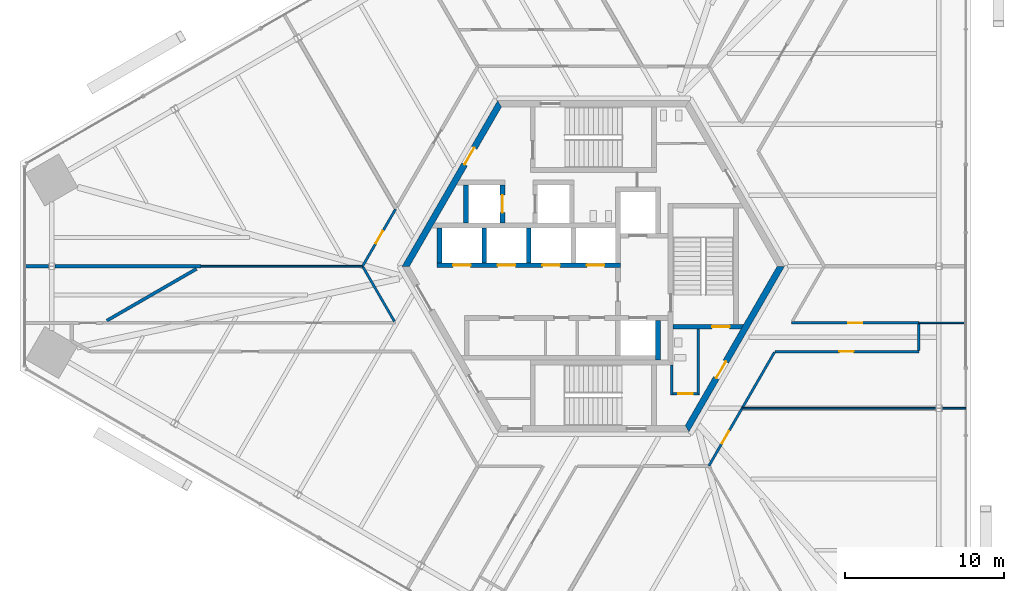
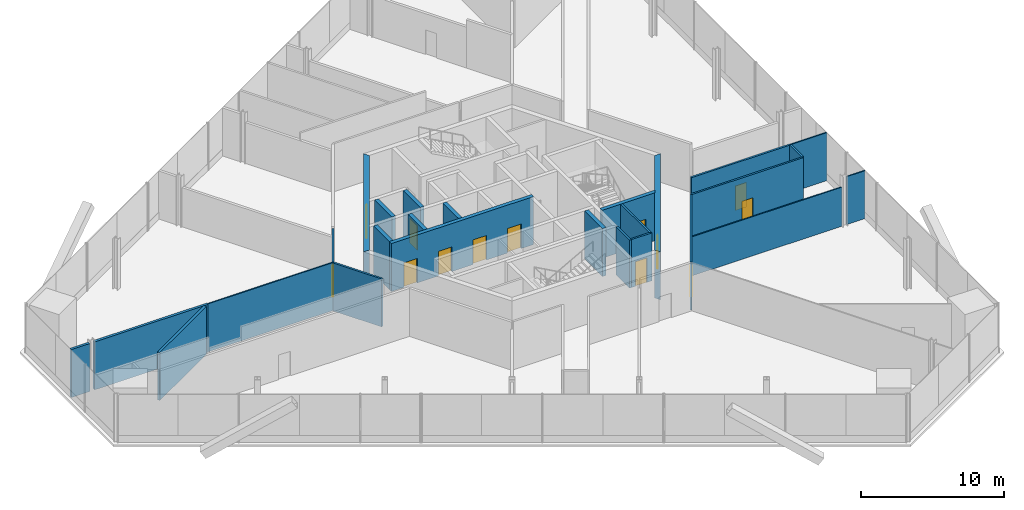
# One storey, part 12 of 16: 26 walls, 13 doors, 13 openings.
"""IFC4 building model written with IfcOpenShell, lengths in metres."""

import ifcopenshell
import ifcopenshell.guid

model = None  # the IFC model being written
_history = None  # IfcOwnerHistory: only IFC2X3 demands one
_inside = {}  # id of a spatial element -> (the spatial element, [elements in it])
_under = {}  # id of a project, library or spatial element -> (it, [spatial elements below it])
_declared = {}  # id of a project -> (the project, [libraries it declares])
_typed = {}  # id of a type object -> (the type object, [elements of that type])
_made_of = {}  # id of a material, layer set ... -> (it, [elements and type objects made of it])


def new_model(schema):
    """Start an empty IFC model of exactly this schema.

    Asked for "IFC4X3", IfcOpenShell would pick the latest addendum, in which some entities
    have other attributes; the version numbers below select the first issue.
    IFC2X3 requires an IfcOwnerHistory on every rooted entity: one is made here for all.
    """
    global model, _history
    if schema == "IFC4X3":
        model = ifcopenshell.file(schema_version=(4, 3, 0, 0))
    else:
        model = ifcopenshell.file(schema=schema)
    _inside.clear()
    _under.clear()
    _declared.clear()
    _typed.clear()
    _made_of.clear()
    _history = None
    if model.schema == "IFC2X3":
        org = make("IfcOrganization", Name="unknown")
        user = make(
            "IfcPersonAndOrganization",
            ThePerson=make("IfcPerson", FamilyName="unknown"),
            TheOrganization=org,
        )
        app = make(
            "IfcApplication",
            ApplicationDeveloper=org,
            Version="unknown",
            ApplicationFullName="unknown",
            ApplicationIdentifier="unknown",
        )
        _history = make(
            "IfcOwnerHistory",
            OwningUser=user,
            OwningApplication=app,
            ChangeAction="ADDED",
            CreationDate=0,
        )
    return model


def make(cls, **values):
    """One entity of the class cls with the attributes given. An attribute that is None is left unset."""
    return model.create_entity(
        cls, **{name: value for name, value in values.items() if value is not None}
    )


def rooted(cls, **values):
    """An entity with a GlobalId (a new one), such as an element, a storey or a relation."""
    return make(cls, GlobalId=ifcopenshell.guid.new(), OwnerHistory=_history, **values)


def si_unit(unit_type, name, prefix=None):
    """IfcSIUnit, for example si_unit("LENGTHUNIT", "METRE", prefix="MILLI")."""
    return make("IfcSIUnit", UnitType=unit_type, Prefix=prefix, Name=name)


def assignment(units):
    """IfcUnitAssignment: the units of a project."""
    return None if units is None else make("IfcUnitAssignment", Units=units)


def point(xyz):
    """IfcCartesianPoint."""
    return None if xyz is None else make("IfcCartesianPoint", Coordinates=xyz)


def direction(xyz):
    """IfcDirection."""
    return None if xyz is None else make("IfcDirection", DirectionRatios=xyz)


def frame(location, z_axis=None, x_axis=None):
    """IfcAxis2Placement3D, a coordinate frame: its origin and axes. An axis left out is left unset."""
    return make(
        "IfcAxis2Placement3D",
        Location=point(location),
        Axis=direction(z_axis),
        RefDirection=direction(x_axis),
    )


def frame_2d(location, x_axis=None):
    """IfcAxis2Placement2D, a coordinate frame in the plane: its origin and x axis."""
    return make(
        "IfcAxis2Placement2D", Location=point(location), RefDirection=direction(x_axis)
    )


def origin():
    """The frame at (0, 0, 0) with its axes left unset."""
    return frame((0.0, 0.0, 0.0))


def place(relative_to, where):
    """IfcLocalPlacement: puts the frame where relative to a parent placement (None: the world)."""
    return make(
        "IfcLocalPlacement", PlacementRelTo=relative_to, RelativePlacement=where
    )


def context(
    kind, dimensions, precision=None, world=None, true_north=None, identifier=None
):
    """IfcGeometricRepresentationContext, for example the 3D "Model" context."""
    return make(
        "IfcGeometricRepresentationContext",
        ContextIdentifier=identifier,
        ContextType=kind,
        CoordinateSpaceDimension=dimensions,
        Precision=precision,
        WorldCoordinateSystem=world,
        TrueNorth=true_north,
    )


def subcontext(parent, identifier, kind, view, scale=None):
    """IfcGeometricRepresentationSubContext, for example "Body" below "Model"."""
    return make(
        "IfcGeometricRepresentationSubContext",
        ContextIdentifier=identifier,
        ContextType=kind,
        ParentContext=parent,
        TargetScale=scale,
        TargetView=view,
    )


def project(units=None, contexts=None):
    """IfcProject with its units and contexts."""
    return rooted(
        "IfcProject",
        Name="project",
        RepresentationContexts=contexts,
        UnitsInContext=assignment(units),
    )


def spatial(cls, under=None, at=None, **own):
    """A site, building, storey or space (cls), placed at a placement, below another one or the project."""
    s = rooted(cls, ObjectPlacement=at, **own)
    if under is not None:
        _under.setdefault(under.id(), (under, []))[1].append(s)
    return s


def polyline(points):
    """IfcPolyline through the points."""
    return make("IfcPolyline", Points=[point(p) for p in points])


def profile(cls, at=None, kind="AREA", **sizes):
    """A parametric profile (cls). Its sizes go by their IFC names, for example OverallWidth=200.0."""
    return make(cls, ProfileType=kind, Position=at, **sizes)


def rectangle(**sizes):
    """IfcRectangleProfileDef."""
    return profile("IfcRectangleProfileDef", **sizes)


def outline(outer, holes=None, kind="AREA"):
    """IfcArbitraryClosedProfileDef: a profile drawn as a closed curve; with holes, ...WithVoids."""
    if holes is None:
        return make("IfcArbitraryClosedProfileDef", ProfileType=kind, OuterCurve=outer)
    return make(
        "IfcArbitraryProfileDefWithVoids",
        ProfileType=kind,
        OuterCurve=outer,
        InnerCurves=holes,
    )


def extrude(swept, where, along, depth):
    """IfcExtrudedAreaSolid: the profile swept, set in the frame where, extruded along a direction by depth."""
    return make(
        "IfcExtrudedAreaSolid",
        SweptArea=swept,
        Position=where,
        ExtrudedDirection=direction(along),
        Depth=depth,
    )


def shape(context_of_items, identifier, shape_type, items):
    """IfcShapeRepresentation: the items that make up one representation, for example the "Body"."""
    return make(
        "IfcShapeRepresentation",
        ContextOfItems=context_of_items,
        RepresentationIdentifier=identifier,
        RepresentationType=shape_type,
        Items=items,
    )


def source(mapping_origin, context_of_items, identifier, shape_type, items):
    """IfcRepresentationMap: a shape defined once, which mapped items show again and again."""
    return make(
        "IfcRepresentationMap",
        MappingOrigin=mapping_origin,
        MappedRepresentation=shape(context_of_items, identifier, shape_type, items),
    )


def transform(
    local_origin,
    x_axis=None,
    y_axis=None,
    z_axis=None,
    scale=None,
    scale2=None,
    scale3=None,
    uniform=True,
):
    """IfcCartesianTransformationOperator3D, or its non-uniform kind. x_axis, y_axis, z_axis: its Axis1, 2, 3."""
    if uniform:
        return make(
            "IfcCartesianTransformationOperator3D",
            Axis1=direction(x_axis),
            Axis2=direction(y_axis),
            LocalOrigin=point(local_origin),
            Scale=scale,
            Axis3=direction(z_axis),
        )
    return make(
        "IfcCartesianTransformationOperator3DnonUniform",
        Axis1=direction(x_axis),
        Axis2=direction(y_axis),
        LocalOrigin=point(local_origin),
        Scale=scale,
        Axis3=direction(z_axis),
        Scale2=scale2,
        Scale3=scale3,
    )


def mapped(mapping_source, mapping_target):
    """IfcMappedItem: shows the shape of a source again, moved by a transform."""
    return make(
        "IfcMappedItem", MappingSource=mapping_source, MappingTarget=mapping_target
    )


def material(Name=None, Category=None):
    """IfcMaterial."""
    return make("IfcMaterial", Name=Name, Category=Category)


def layer(
    of_material, thickness, ventilated=None, Name=None, Category=None, Priority=None
):
    """IfcMaterialLayer: one layer of a wall or slab, of a material (None: an air gap)."""
    return make(
        "IfcMaterialLayer",
        Material=of_material,
        LayerThickness=thickness,
        IsVentilated=ventilated,
        Name=Name,
        Category=Category,
        Priority=Priority,
    )


def layer_set(layers, Name=None):
    """IfcMaterialLayerSet."""
    return make("IfcMaterialLayerSet", MaterialLayers=layers, LayerSetName=Name)


def made_of(thing, what):
    """Note that an element or type object is made of a material, layer set ...; save() writes the relation."""
    if what is not None:
        _made_of.setdefault(what.id(), (what, []))[1].append(thing)
    return thing


def type_object(cls, material=None, **own):
    """A type object (cls), such as IfcWallType, which elements share."""
    return made_of(rooted(cls, **own), material)


def element(
    cls,
    number,
    at=None,
    inside=None,
    cuts=None,
    type_object=None,
    material=None,
    context=None,
    identifier="Body",
    shape_type=None,
    held_by="IfcProductDefinitionShape",
    body=None,
    shapes=None,
    **own,
):
    """One element of the class cls, such as IfcWall. Its Tag is "e" and its number.

    at: its placement. inside: the storey or other place that contains it. cuts: it is an
    opening in that element (IfcRelVoidsElement). A single representation is given by context,
    identifier, shape_type and body (its items); several are given by shapes. held_by: the class
    of the entity that holds the representations. save() writes the other relations.
    """
    e = rooted(cls, Tag="e%d" % number, ObjectPlacement=at, **own)
    if body is not None:
        shapes = [shape(context, identifier, shape_type, body)]
    if shapes is not None:
        e.Representation = make(held_by, Representations=shapes)
    if inside is not None:
        _inside.setdefault(inside.id(), (inside, []))[1].append(e)
    if cuts is not None:
        rooted(
            "IfcRelVoidsElement", RelatingBuildingElement=cuts, RelatedOpeningElement=e
        )
    if type_object is not None:
        _typed.setdefault(type_object.id(), (type_object, []))[1].append(e)
    return made_of(e, material)


def fill(opening, filler):
    """IfcRelFillsElement: the door or window that sits in an opening."""
    return rooted(
        "IfcRelFillsElement",
        RelatingOpeningElement=opening,
        RelatedBuildingElement=filler,
    )


def aggregate(whole, parts):
    """IfcRelAggregates: a whole, such as a stair, and the parts it consists of."""
    return rooted("IfcRelAggregates", RelatingObject=whole, RelatedObjects=parts)


def save(model, path):
    """Write the relations noted so far, then the file.

    IfcRelAggregates (storeys below a building ...), IfcRelContainedInSpatialStructure (elements
    in a storey), IfcRelDefinesByType, IfcRelAssociatesMaterial and IfcRelDeclares: one each for
    every whole, place, type object, material and project.
    """
    for whole, parts in _under.values():
        aggregate(whole, parts)
    for where, things in _inside.values():
        rooted(
            "IfcRelContainedInSpatialStructure",
            RelatedElements=things,
            RelatingStructure=where,
        )
    for kind, things in _typed.values():
        rooted("IfcRelDefinesByType", RelatedObjects=things, RelatingType=kind)
    for what, things in _made_of.values():
        rooted("IfcRelAssociatesMaterial", RelatedObjects=things, RelatingMaterial=what)
    for by, libraries in _declared.values():
        rooted("IfcRelDeclares", RelatingContext=by, RelatedDefinitions=libraries)
    model.write(path)


model = new_model("IFC4")

# Units and contexts
model_context = context("Model", 3, precision=1e-05, world=origin(), true_north=direction((0.0, 1.0)))
body_context = subcontext(model_context, "Body", "Model", "MODEL_VIEW")
ifc_project = project(units=[si_unit("LENGTHUNIT", "METRE"), si_unit("AREAUNIT", "SQUARE_METRE"), si_unit("VOLUMEUNIT", "CUBIC_METRE"), si_unit("PLANEANGLEUNIT", "RADIAN"), si_unit("MASSUNIT", "GRAM", prefix="KILO")], contexts=[model_context])

# Site, building, storey
site_placement = place(None, origin())
site = spatial("IfcSite", under=ifc_project, at=site_placement, CompositionType="ELEMENT")
building_placement = place(site_placement, origin())
building = spatial("IfcBuilding", under=site, at=building_placement, Name="Triune Harvest Tower", CompositionType="ELEMENT")
storey_placement = place(building_placement, frame((0.0, 0.0, 20.300048828125)))
storey = spatial("IfcBuildingStorey", under=building, at=storey_placement, Name="L04", CompositionType="ELEMENT", Elevation=20.300048828125)

# Wall, opening, door
ifc_material_1 = material(Name="Concrete 70 MPa", Category="concrete")
ifc_layer_1 = layer(ifc_material_1, 0.39990234375)
ifc_layer_set_1 = layer_set([ifc_layer_1], Name="Concrete 70 MPa")
wall_type_1 = type_object("IfcWallType", Name="Core wall 400", PredefinedType="SHEAR", material=ifc_layer_set_1)
shared_shape_1 = source(origin(), body_context, "Body", "SweptSolid", [
    extrude(outline(polyline([(-0.115478515625, -0.199951171875), (11.884521484375, -0.199951171875), (11.653564453125, 0.199951171875), (0.115478515625, 0.199951171875), (-0.115478515625, -0.199951171875)])), origin(), (0.0, 0.0, 1.0), 4.099853515625),
])
wall_1_placement = place(storey_placement, frame((-5.884521484375, 10.1923828125, 0.0), z_axis=(0.0, 0.0, 1.0), x_axis=(-0.499996592174, -0.866027371285, 0.0)))
wall_1 = element("IfcWall", 1, at=wall_1_placement, inside=storey, type_object=wall_type_1, Name="Hexagon 2 wall", PredefinedType="SHEAR", context=body_context, shape_type="MappedRepresentation", body=[
    mapped(shared_shape_1, transform((0.0, 0.0, 0.0), scale=1.0)),
])
opening_1_placement = place(wall_1_placement, frame((3.1845703125, 0.0, 0.0)))
opening_1 = element("IfcOpeningElement", 2, at=opening_1_placement, cuts=wall_1, Name="Opening CD-SVP", PredefinedType="OPENING", context=body_context, shape_type="SweptSolid", body=[
    extrude(rectangle(XDim=1.199951171875, YDim=2.10009765625, at=frame_2d((0.60009765625, 1.050048828125))), frame((0.0, 0.2099609375, 0.0), z_axis=(0.0, -1.0, 0.0), x_axis=(1.0, 0.0, 0.0)), (0.0, 0.0, 1.0), 0.419921875),
])
ifc_material_2 = material(Name="Steel S235", Category="steel")
door_type_1 = type_object("IfcDoorType", Name="Service door 1200 FD120", OperationType="SINGLE_SWING_LEFT", PredefinedType="DOOR", material=ifc_material_2)
door_1_placement = place(opening_1_placement, frame((1.199951171875, 0.0, 0.0), z_axis=(0.0, 0.0, 1.0), x_axis=(-1.0, 0.0, 0.0)))
door_1 = element("IfcDoor", 3, at=door_1_placement, inside=storey, type_object=door_type_1, Name="Door CD-SVP", OperationType="SINGLE_SWING_RIGHT", OverallHeight=2.10009765625, OverallWidth=1.199951171875, PredefinedType="DOOR", context=body_context, shape_type="SweptSolid", body=[
    extrude(rectangle(XDim=1.199951171875, YDim=2.10009765625, at=frame_2d((0.60009765625, 1.050048828125))), frame((0.0, 0.02490234375, 0.0), z_axis=(0.0, -1.0, 0.0), x_axis=(1.0, 0.0, 0.0)), (0.0, 0.0, 1.0), 0.050048828125),
])
fill(opening_1, door_1)

wall_2_placement = place(storey_placement, frame((5.884521484375, -10.1923828125, 0.0), z_axis=(0.0, 0.0, 1.0), x_axis=(0.499996592174, 0.866027371285, 0.0)))
wall_2 = element("IfcWall", 4, at=wall_2_placement, inside=storey, type_object=wall_type_1, Name="Hexagon 5 wall", PredefinedType="SHEAR", context=body_context, shape_type="MappedRepresentation", body=[
    mapped(shared_shape_1, transform((0.0, 0.0, 0.0), scale=1.0)),
])
opening_2_placement = place(wall_2_placement, frame((3.66455078125, 0.0, 0.0)))
opening_2 = element("IfcOpeningElement", 5, at=opening_2_placement, cuts=wall_2, Name="Opening CD-DP", PredefinedType="OPENING", context=body_context, shape_type="SweptSolid", body=[
    extrude(rectangle(XDim=1.199951171875, YDim=2.10009765625, at=frame_2d((0.60009765625, 1.050048828125))), frame((0.0, 0.2099609375, 0.0), z_axis=(0.0, -1.0, 0.0), x_axis=(1.0, 0.0, 0.0)), (0.0, 0.0, 1.0), 0.419921875),
])
ifc_material_3 = material(Name="Steel S235", Category="steel")
door_type_2 = type_object("IfcDoorType", Name="Stair door 1200 FD120", OperationType="SINGLE_SWING_LEFT", PredefinedType="DOOR", material=ifc_material_3)
door_2_placement = place(opening_2_placement, frame((1.199951171875, 0.0, 0.0), z_axis=(0.0, 0.0, 1.0), x_axis=(-1.0, 0.0, 0.0)))
door_2 = element("IfcDoor", 6, at=door_2_placement, inside=storey, type_object=door_type_2, Name="Door CD-DP", OperationType="SINGLE_SWING_RIGHT", OverallHeight=2.10009765625, OverallWidth=1.199951171875, PredefinedType="DOOR", context=body_context, shape_type="SweptSolid", body=[
    extrude(rectangle(XDim=1.199951171875, YDim=2.10009765625, at=frame_2d((0.60009765625, 1.050048828125))), frame((0.0, 0.02490234375, 0.0), z_axis=(0.0, -1.0, 0.0), x_axis=(1.0, 0.0, 0.0)), (0.0, 0.0, 1.0), 0.050048828125),
])
fill(opening_2, door_2)

# Wall, openings, doors
ifc_material_4 = material(Name="Concrete 70 MPa", Category="concrete")
ifc_layer_2 = layer(ifc_material_4, 0.300048828125)
ifc_layer_set_2 = layer_set([ifc_layer_2], Name="Concrete 70 MPa")
wall_type_2 = type_object("IfcWallType", Name="Core wall 300", PredefinedType="SHEAR", material=ifc_layer_set_2)
shared_shape_2 = source(origin(), body_context, "Body", "SweptSolid", [
    extrude(rectangle(XDim=11.5, YDim=0.300048828125, at=frame_2d((5.75, 0.0))), origin(), (0.0, 0.0, 1.0), 4.099853515625),
])
wall_3_placement = place(storey_placement, frame((-9.800048828125, 0.06005859375, 0.0), z_axis=(0.0, 0.0, 1.0), x_axis=(1.0, 0.0, 0.0)))
wall_3 = element("IfcWall", 7, at=wall_3_placement, inside=storey, type_object=wall_type_2, Name="North front wall", PredefinedType="SHEAR", context=body_context, shape_type="MappedRepresentation", body=[
    mapped(shared_shape_2, transform((0.0, 0.0, 0.0), scale=1.0)),
])
opening_3_placement = place(wall_3_placement, frame((1.0, 0.0, 0.0)))
opening_3 = element("IfcOpeningElement", 8, at=opening_3_placement, cuts=wall_3, Name="Opening LD-LR1-04", PredefinedType="OPENING", context=body_context, shape_type="SweptSolid", body=[
    extrude(rectangle(XDim=1.10009765625, YDim=2.10009765625, at=frame_2d((0.550048828125, 1.050048828125))), frame((0.0, 0.16015625, 0.0), z_axis=(0.0, -1.0, 0.0), x_axis=(1.0, 0.0, 0.0)), (0.0, 0.0, 1.0), 0.320068359375),
])
opening_4_placement = place(wall_3_placement, frame((3.800048828125, 0.0, 0.0)))
opening_4 = element("IfcOpeningElement", 9, at=opening_4_placement, cuts=wall_3, Name="Opening LD-LR2-04", PredefinedType="OPENING", context=body_context, shape_type="SweptSolid", body=[
    extrude(rectangle(XDim=1.10009765625, YDim=2.10009765625, at=frame_2d((0.550048828125, 1.050048828125))), frame((0.0, 0.16015625, 0.0), z_axis=(0.0, -1.0, 0.0), x_axis=(1.0, 0.0, 0.0)), (0.0, 0.0, 1.0), 0.320068359375),
])
opening_5_placement = place(wall_3_placement, frame((6.60009765625, 0.0, 0.0)))
opening_5 = element("IfcOpeningElement", 10, at=opening_5_placement, cuts=wall_3, Name="Opening LD-LR3-04", PredefinedType="OPENING", context=body_context, shape_type="SweptSolid", body=[
    extrude(rectangle(XDim=1.10009765625, YDim=2.10009765625, at=frame_2d((0.550048828125, 1.050048828125))), frame((0.0, 0.16015625, 0.0), z_axis=(0.0, -1.0, 0.0), x_axis=(1.0, 0.0, 0.0)), (0.0, 0.0, 1.0), 0.320068359375),
])
opening_6_placement = place(wall_3_placement, frame((9.39990234375, 0.0, 0.0)))
opening_6 = element("IfcOpeningElement", 11, at=opening_6_placement, cuts=wall_3, Name="Opening LD-LR4-04", PredefinedType="OPENING", context=body_context, shape_type="SweptSolid", body=[
    extrude(rectangle(XDim=1.10009765625, YDim=2.10009765625, at=frame_2d((0.550048828125, 1.050048828125))), frame((0.0, 0.16015625, 0.0), z_axis=(0.0, -1.0, 0.0), x_axis=(1.0, 0.0, 0.0)), (0.0, 0.0, 1.0), 0.320068359375),
])
ifc_material_5 = material(Name="Stainless steel AISI 304", Category="steel")
door_type_3 = type_object("IfcDoorType", Name="Landing door 1100 x 2100", OperationType="DOUBLE_DOOR_SLIDING", PredefinedType="DOOR", material=ifc_material_5)
door_3_placement = place(opening_3_placement, origin())
door_3 = element("IfcDoor", 12, at=door_3_placement, inside=storey, type_object=door_type_3, Name="Door LD-LR1-04", OperationType="DOUBLE_DOOR_SLIDING", OverallHeight=2.10009765625, OverallWidth=1.10009765625, PredefinedType="DOOR", context=body_context, shape_type="SweptSolid", body=[
    extrude(rectangle(XDim=1.10009765625, YDim=2.10009765625, at=frame_2d((0.550048828125, 1.050048828125))), frame((0.0, 0.02490234375, 0.0), z_axis=(0.0, -1.0, 0.0), x_axis=(1.0, 0.0, 0.0)), (0.0, 0.0, 1.0), 0.050048828125),
])
fill(opening_3, door_3)
door_4_placement = place(opening_4_placement, origin())
door_4 = element("IfcDoor", 13, at=door_4_placement, inside=storey, type_object=door_type_3, Name="Door LD-LR2-04", OperationType="DOUBLE_DOOR_SLIDING", OverallHeight=2.10009765625, OverallWidth=1.10009765625, PredefinedType="DOOR", context=body_context, shape_type="SweptSolid", body=[
    extrude(rectangle(XDim=1.10009765625, YDim=2.10009765625, at=frame_2d((0.550048828125, 1.050048828125))), frame((0.0, 0.02490234375, 0.0), z_axis=(0.0, -1.0, 0.0), x_axis=(1.0, 0.0, 0.0)), (0.0, 0.0, 1.0), 0.050048828125),
])
fill(opening_4, door_4)
door_5_placement = place(opening_5_placement, origin())
door_5 = element("IfcDoor", 14, at=door_5_placement, inside=storey, type_object=door_type_3, Name="Door LD-LR3-04", OperationType="DOUBLE_DOOR_SLIDING", OverallHeight=2.10009765625, OverallWidth=1.10009765625, PredefinedType="DOOR", context=body_context, shape_type="SweptSolid", body=[
    extrude(rectangle(XDim=1.10009765625, YDim=2.10009765625, at=frame_2d((0.550048828125, 1.050048828125))), frame((0.0, 0.02490234375, 0.0), z_axis=(0.0, -1.0, 0.0), x_axis=(1.0, 0.0, 0.0)), (0.0, 0.0, 1.0), 0.050048828125),
])
fill(opening_5, door_5)
door_6_placement = place(opening_6_placement, origin())
door_6 = element("IfcDoor", 15, at=door_6_placement, inside=storey, type_object=door_type_3, Name="Door LD-LR4-04", OperationType="DOUBLE_DOOR_SLIDING", OverallHeight=2.10009765625, OverallWidth=1.10009765625, PredefinedType="DOOR", context=body_context, shape_type="SweptSolid", body=[
    extrude(rectangle(XDim=1.10009765625, YDim=2.10009765625, at=frame_2d((0.550048828125, 1.050048828125))), frame((0.0, 0.02490234375, 0.0), z_axis=(0.0, -1.0, 0.0), x_axis=(1.0, 0.0, 0.0)), (0.0, 0.0, 1.0), 0.050048828125),
])
fill(opening_6, door_6)

# Walls
shared_shape_3 = source(origin(), body_context, "Body", "SweptSolid", [
    extrude(rectangle(XDim=2.5, YDim=0.300048828125, at=frame_2d((1.25, 0.0))), origin(), (0.0, 0.0, 1.0), 4.099853515625),
])
wall_4_placement = place(storey_placement, frame((4.050048828125, -5.889892578125, 0.0), z_axis=(0.0, 0.0, 1.0), x_axis=(0.0, 1.0, 0.0)))
element("IfcWall", 16, at=wall_4_placement, inside=storey, type_object=wall_type_2, Name="Ff2 east wall", PredefinedType="SHEAR", context=body_context, shape_type="MappedRepresentation", body=[
    mapped(shared_shape_3, transform((0.0, 0.0, 0.0), scale=1.0)),
])
shared_shape_4 = source(origin(), body_context, "Body", "SweptSolid", [
    extrude(rectangle(XDim=2.199951171875, YDim=0.300048828125, at=frame_2d((1.10009765625, 0.0))), origin(), (0.0, 0.0, 1.0), 4.099853515625),
])
for number, where, z_axis, x_axis, name in (
    (17, (-9.64990234375, 0.2099609375, 0.0), (0.0, 0.0, 1.0), (0.0, 1.0, 0.0), "North end west wall"),
    (18, (-6.85009765625, 0.2099609375, 0.0), (0.0, 0.0, 1.0), (0.0, 1.0, 0.0), "North cross 1 wall"),
    (19, (-4.050048828125, 0.2099609375, 0.0), (0.0, 0.0, 1.0), (0.0, 1.0, 0.0), "North cross 2 wall"),
):
    element("IfcWall", number, at=place(storey_placement, frame(where, z_axis=z_axis, x_axis=x_axis)), inside=storey, type_object=wall_type_2, Name=name, PredefinedType="SHEAR", context=body_context, shape_type="MappedRepresentation", body=[
        mapped(shared_shape_4, transform((0.0, 0.0, 0.0), scale=1.0)),
    ])

# Wall, opening, door
shared_shape_5 = source(origin(), body_context, "Body", "SweptSolid", [
    extrude(outline(polyline([(0.0, -0.14990234375), (0.0, 0.14990234375), (4.43310546875, 0.14990234375), (4.260009765625, -0.14990234375), (0.0, -0.14990234375)])), origin(), (0.0, 0.0, 1.0), 4.099853515625),
])
wall_5_placement = place(storey_placement, frame((5.0, -3.800048828125, 0.0), z_axis=(0.0, 0.0, 1.0), x_axis=(1.0, 0.0, 0.0)))
wall_5 = element("IfcWall", 20, at=wall_5_placement, inside=storey, type_object=wall_type_2, Name="Stair e south wall", PredefinedType="SHEAR", context=body_context, shape_type="MappedRepresentation", body=[
    mapped(shared_shape_5, transform((0.0, 0.0, 0.0), scale=1.0)),
])
opening_7_placement = place(wall_5_placement, frame((2.449951171875, 0.0, 0.0)))
opening_7 = element("IfcOpeningElement", 21, at=opening_7_placement, cuts=wall_5, Name="Opening CD-S3D", PredefinedType="OPENING", context=body_context, shape_type="SweptSolid", body=[
    extrude(rectangle(XDim=1.10009765625, YDim=2.10009765625, at=frame_2d((0.550048828125, 1.050048828125))), frame((0.0, 0.16015625, 0.0), z_axis=(0.0, -1.0, 0.0), x_axis=(1.0, 0.0, 0.0)), (0.0, 0.0, 1.0), 0.320068359375),
])
ifc_material_6 = material(Name="Steel S235", Category="steel")
door_type_4 = type_object("IfcDoorType", Name="Stair door 1100 FD120", OperationType="SINGLE_SWING_LEFT", PredefinedType="DOOR", material=ifc_material_6)
door_7_placement = place(opening_7_placement, frame((1.10009765625, 0.0, 0.0), z_axis=(0.0, 0.0, 1.0), x_axis=(-1.0, 0.0, 0.0)))
door_7 = element("IfcDoor", 22, at=door_7_placement, inside=storey, type_object=door_type_4, Name="Door CD-S3D", OperationType="SINGLE_SWING_RIGHT", OverallHeight=2.10009765625, OverallWidth=1.10009765625, PredefinedType="DOOR", context=body_context, shape_type="SweptSolid", body=[
    extrude(rectangle(XDim=1.10009765625, YDim=2.10009765625, at=frame_2d((0.550048828125, 1.050048828125))), frame((0.0, 0.02490234375, 0.0), z_axis=(0.0, -1.0, 0.0), x_axis=(1.0, 0.0, 0.0)), (0.0, 0.0, 1.0), 0.050048828125),
])
fill(opening_7, door_7)

# Wall
shared_shape_6 = source(origin(), body_context, "Body", "SweptSolid", [
    extrude(rectangle(XDim=2.400146484375, YDim=0.300048828125, at=frame_2d((1.2001953125, 0.0))), origin(), (0.0, 0.0, 1.0), 4.099853515625),
])
wall_6_placement = place(storey_placement, frame((-8.0, 2.7099609375, 0.0), z_axis=(0.0, 0.0, 1.0), x_axis=(0.0, 1.0, 0.0)))
element("IfcWall", 23, at=wall_6_placement, inside=storey, type_object=wall_type_2, Name="Sv1 west wall", PredefinedType="SHEAR", context=body_context, shape_type="MappedRepresentation", body=[
    mapped(shared_shape_6, transform((0.0, 0.0, 0.0), scale=1.0)),
])

# Wall, opening, door
wall_7_placement = place(storey_placement, frame((-5.699951171875, 2.7099609375, 0.0), z_axis=(0.0, 0.0, 1.0), x_axis=(0.0, 1.0, 0.0)))
wall_7 = element("IfcWall", 24, at=wall_7_placement, inside=storey, type_object=wall_type_2, Name="Sv1 east wall", PredefinedType="SHEAR", context=body_context, shape_type="MappedRepresentation", body=[
    mapped(shared_shape_6, transform((0.0, 0.0, 0.0), scale=1.0)),
])
opening_8_placement = place(wall_7_placement, frame((0.64990234375, 0.0, 0.0)))
opening_8 = element("IfcOpeningElement", 25, at=opening_8_placement, cuts=wall_7, Name="Opening LD-SV1-04", PredefinedType="OPENING", context=body_context, shape_type="SweptSolid", body=[
    extrude(rectangle(XDim=1.10009765625, YDim=2.10009765625, at=frame_2d((0.550048828125, 1.050048828125))), frame((0.0, 0.16015625, 0.0), z_axis=(0.0, -1.0, 0.0), x_axis=(1.0, 0.0, 0.0)), (0.0, 0.0, 1.0), 0.320068359375),
])
door_8_placement = place(opening_8_placement, origin())
door_8 = element("IfcDoor", 26, at=door_8_placement, inside=storey, type_object=door_type_3, Name="Door LD-SV1-04", OperationType="DOUBLE_DOOR_SLIDING", OverallHeight=2.10009765625, OverallWidth=1.10009765625, PredefinedType="DOOR", context=body_context, shape_type="SweptSolid", body=[
    extrude(rectangle(XDim=1.10009765625, YDim=2.10009765625, at=frame_2d((0.550048828125, 1.050048828125))), frame((0.0, 0.02490234375, 0.0), z_axis=(0.0, -1.0, 0.0), x_axis=(1.0, 0.0, 0.0)), (0.0, 0.0, 1.0), 0.050048828125),
])
fill(opening_8, door_8)

ifc_material_7 = material(Name="Concrete masonry unit", Category="masonry")
ifc_layer_3 = layer(ifc_material_7, 0.14990234375)
ifc_layer_set_3 = layer_set([ifc_layer_3], Name="Concrete masonry unit")
wall_type_3 = type_object("IfcWallType", Name="Block partition 150 unrated", PredefinedType="PARTITIONING", material=ifc_layer_set_3)
shared_shape_7 = source(origin(), body_context, "Body", "SweptSolid", [
    extrude(outline(polyline([(0.0, -0.074951171875), (1.64990234375, -0.074951171875), (1.5, 0.074951171875), (0.0, 0.074951171875), (0.0, -0.074951171875)])), origin(), (0.0, 0.0, 1.0), 4.099853515625),
])
wall_8_placement = place(storey_placement, frame((5.0, -8.0, 0.0), z_axis=(0.0, 0.0, 1.0), x_axis=(1.0, 0.0, 0.0)))
wall_8 = element("IfcWall", 27, at=wall_8_placement, inside=storey, type_object=wall_type_3, Name="Wc acc south wall", PredefinedType="PARTITIONING", context=body_context, shape_type="MappedRepresentation", body=[
    mapped(shared_shape_7, transform((0.0, 0.0, 0.0), scale=1.0)),
])
opening_9_placement = place(wall_8_placement, frame((0.33740234375, 0.0, 0.0)))
opening_9 = element("IfcOpeningElement", 28, at=opening_9_placement, cuts=wall_8, Name="Opening CD-WA", PredefinedType="OPENING", context=body_context, shape_type="SweptSolid", body=[
    extrude(rectangle(XDim=0.89990234375, YDim=2.10009765625, at=frame_2d((0.449951171875, 1.050048828125))), frame((0.0, 0.0849609375, 0.0), z_axis=(0.0, -1.0, 0.0), x_axis=(1.0, 0.0, 0.0)), (0.0, 0.0, 1.0), 0.169921875),
])
ifc_material_8 = material(Name="Timber C24", Category="wood")
door_type_5 = type_object("IfcDoorType", Name="WC door 900", OperationType="SINGLE_SWING_LEFT", PredefinedType="DOOR", material=ifc_material_8)
door_9_placement = place(opening_9_placement, origin())
door_9 = element("IfcDoor", 29, at=door_9_placement, inside=storey, type_object=door_type_5, Name="Door CD-WA", OperationType="SINGLE_SWING_LEFT", OverallHeight=2.10009765625, OverallWidth=0.89990234375, PredefinedType="DOOR", context=body_context, shape_type="SweptSolid", body=[
    extrude(rectangle(XDim=0.89990234375, YDim=2.10009765625, at=frame_2d((0.449951171875, 1.050048828125))), frame((0.0, 0.02490234375, 0.0), z_axis=(0.0, -1.0, 0.0), x_axis=(1.0, 0.0, 0.0)), (0.0, 0.0, 1.0), 0.050048828125),
])
fill(opening_9, door_9)

# Walls
shared_shape_8 = source(origin(), body_context, "Body", "SweptSolid", [
    extrude(outline(polyline([(-0.074951171875, -0.074951171875), (4.050048828125, -0.074951171875), (4.050048828125, 0.074951171875), (0.074951171875, 0.074951171875), (-0.074951171875, -0.074951171875)])), origin(), (0.0, 0.0, 1.0), 4.099853515625),
])
wall_9_placement = place(storey_placement, frame((6.574951171875, -8.0, 0.0), z_axis=(0.0, 0.0, 1.0), x_axis=(0.0, 1.0, 0.0)))
element("IfcWall", 30, at=wall_9_placement, inside=storey, type_object=wall_type_3, Name="Wc acc east wall", PredefinedType="PARTITIONING", context=body_context, shape_type="MappedRepresentation", body=[
    mapped(shared_shape_8, transform((0.0, 0.0, 0.0), scale=1.0)),
])
shared_shape_9 = source(origin(), body_context, "Body", "SweptSolid", [
    extrude(rectangle(XDim=1.885009765625, YDim=0.14990234375, at=frame_2d((0.9423828125, 0.0))), origin(), (0.0, 0.0, 1.0), 4.099853515625),
])
wall_10_placement = place(storey_placement, frame((4.925048828125, -8.074951171875, 0.0), z_axis=(0.0, 0.0, 1.0), x_axis=(0.0, 1.0, 0.0)))
element("IfcWall", 31, at=wall_10_placement, inside=storey, type_object=wall_type_3, Name="Wc acc west wall", PredefinedType="PARTITIONING", context=body_context, shape_type="MappedRepresentation", body=[
    mapped(shared_shape_9, transform((0.0, 0.0, 0.0), scale=1.0)),
])
ifc_material_9 = material(Name="Gypsum board on steel studs", Category="steel")
ifc_layer_4 = layer(ifc_material_9, 0.10009765625)
ifc_layer_set_4 = layer_set([ifc_layer_4], Name="Gypsum board on steel studs")
wall_type_4 = type_object("IfcWallType", Name="Partition 100 mm", PredefinedType="PARTITIONING", material=ifc_layer_set_4)
shared_shape_10 = source(origin(), body_context, "Body", "SweptSolid", [
    extrude(rectangle(XDim=12.14794921875, YDim=0.10009765625, at=frame_2d((6.073974609375, 0.0))), origin(), (0.0, 0.0, 1.0), 3.343017578125),
])
wall_11_placement = place(storey_placement, frame((9.33837890625, -8.909912109375, 0.0), z_axis=(0.0, 0.0, 1.0), x_axis=(1.0, 0.0, 0.0)))
element("IfcWall", 32, at=wall_11_placement, inside=storey, type_object=wall_type_4, Name="Partition L04 025", PredefinedType="PARTITIONING", context=body_context, shape_type="MappedRepresentation", body=[
    mapped(shared_shape_10, transform((0.0, 0.0, 0.0), scale=1.0)),
])
ifc_material_10 = material(Name="Gypsum board on steel studs", Category="steel")
ifc_layer_5 = layer(ifc_material_10, 0.14990234375)
ifc_layer_set_5 = layer_set([ifc_layer_5], Name="Gypsum board on steel studs")
wall_type_5 = type_object("IfcWallType", Name="Fire Partition 150 mm", PredefinedType="PARTITIONING", material=ifc_layer_set_5)
shared_shape_11 = source(origin(), body_context, "Body", "SweptSolid", [
    extrude(rectangle(XDim=3.945068359375, YDim=0.14990234375, at=frame_2d((1.97265625, 0.0))), origin(), (0.0, 0.0, 1.0), 4.099853515625),
])
wall_12_placement = place(storey_placement, frame((-14.45751953125, -0.043212890625, 0.0), z_axis=(0.0, 0.0, 1.0), x_axis=(0.499979592829, -0.866037185549, 0.0)))
element("IfcWall", 33, at=wall_12_placement, inside=storey, type_object=wall_type_5, Name="Partition L04 001", PredefinedType="PARTITIONING", context=body_context, shape_type="MappedRepresentation", body=[
    mapped(shared_shape_11, transform((0.0, 0.0, 0.0), scale=1.0)),
])
ifc_material_11 = material(Name="Gypsum board on steel studs", Category="steel")
ifc_layer_6 = layer(ifc_material_11, 0.199951171875)
ifc_layer_set_6 = layer_set([ifc_layer_6], Name="Gypsum board on steel studs")
wall_type_6 = type_object("IfcWallType", Name="Fire Wall 200 mm", PredefinedType="PARTITIONING", material=ifc_layer_set_6)
shared_shape_12 = source(origin(), body_context, "Body", "SweptSolid", [
    extrude(rectangle(XDim=1.49853515625, YDim=0.199951171875, at=frame_2d((0.749267578125, 0.0))), origin(), (0.0, 0.0, 1.0), 4.099853515625),
])
wall_13_placement = place(storey_placement, frame((-35.680419921875, 0.0, 0.0), z_axis=(0.0, 0.0, 1.0), x_axis=(1.0, 0.0, 0.0)))
element("IfcWall", 34, at=wall_13_placement, inside=storey, type_object=wall_type_6, Name="Partition L04 033", PredefinedType="PARTITIONING", context=body_context, shape_type="MappedRepresentation", body=[
    mapped(shared_shape_12, transform((0.0, 0.0, 0.0), scale=1.0)),
])
shared_shape_13 = source(origin(), body_context, "Body", "SweptSolid", [
    extrude(rectangle(XDim=1.49853515625, YDim=0.10009765625, at=frame_2d((0.749267578125, 0.0))), origin(), (0.0, 0.0, 1.0), 4.099853515625),
])
wall_14_placement = place(storey_placement, frame((21.872802734375, -8.909912109375, 0.0), z_axis=(0.0, 0.0, 1.0), x_axis=(1.0, 0.0, 0.0)))
element("IfcWall", 35, at=wall_14_placement, inside=storey, type_object=wall_type_4, Name="Partition L04 026", PredefinedType="PARTITIONING", context=body_context, shape_type="MappedRepresentation", body=[
    mapped(shared_shape_13, transform((0.0, 0.0, 0.0), scale=1.0)),
])

# Wall, opening, door
shared_shape_14 = source(origin(), body_context, "Body", "SweptSolid", [
    extrude(rectangle(XDim=9.03857421875, YDim=0.14990234375, at=frame_2d((4.519287109375, 0.0))), origin(), (0.0, 0.0, 1.0), 4.099853515625),
])
wall_15_placement = place(storey_placement, frame((11.390869140625, -5.35498046875, 0.0), z_axis=(0.0, 0.0, 1.0), x_axis=(1.0, 0.0, 0.0)))
wall_15 = element("IfcWall", 36, at=wall_15_placement, inside=storey, type_object=wall_type_5, Name="Partition L04 028", PredefinedType="PARTITIONING", context=body_context, shape_type="MappedRepresentation", body=[
    mapped(shared_shape_14, transform((0.0, 0.0, 0.0), scale=1.0)),
])
opening_10_placement = place(wall_15_placement, frame((4.050048828125, 0.0, 0.0)))
opening_10 = element("IfcOpeningElement", 37, at=opening_10_placement, cuts=wall_15, Name="Opening L04-002", PredefinedType="OPENING", context=body_context, shape_type="SweptSolid", body=[
    extrude(rectangle(XDim=0.89990234375, YDim=2.10009765625, at=frame_2d((0.449951171875, 1.050048828125))), frame((0.0, 0.0849609375, 0.0), z_axis=(0.0, -1.0, 0.0), x_axis=(1.0, 0.0, 0.0)), (0.0, 0.0, 1.0), 0.169921875),
])
ifc_material_12 = material(Name="Timber and steel door set", Category="steel")
door_type_6 = type_object("IfcDoorType", Name="Single leaf door FD30 right hand 900 x 2100", OperationType="SINGLE_SWING_RIGHT", PredefinedType="DOOR", material=ifc_material_12)
door_10_placement = place(opening_10_placement, origin())
door_10 = element("IfcDoor", 38, at=door_10_placement, inside=storey, type_object=door_type_6, Name="Door L04-002 Dry Store Room 04.02", OperationType="SINGLE_SWING_RIGHT", OverallHeight=2.10009765625, OverallWidth=0.89990234375, PredefinedType="DOOR", context=body_context, shape_type="SweptSolid", body=[
    extrude(rectangle(XDim=0.89990234375, YDim=2.10009765625, at=frame_2d((0.449951171875, 1.050048828125))), frame((0.0, 0.02490234375, 0.0), z_axis=(0.0, -1.0, 0.0), x_axis=(1.0, 0.0, 0.0)), (0.0, 0.0, 1.0), 0.050048828125),
])
fill(opening_10, door_10)

shared_shape_15 = source(origin(), body_context, "Body", "SweptSolid", [
    extrude(rectangle(XDim=7.999267578125, YDim=0.14990234375, at=frame_2d((3.99951171875, 0.0))), origin(), (0.0, 0.0, 1.0), 4.099853515625),
])
wall_16_placement = place(storey_placement, frame((12.43017578125, -3.554931640625, 0.0), z_axis=(0.0, 0.0, 1.0), x_axis=(1.0, 0.0, 0.0)))
wall_16 = element("IfcWall", 39, at=wall_16_placement, inside=storey, type_object=wall_type_5, Name="Partition L04 031", PredefinedType="PARTITIONING", context=body_context, shape_type="MappedRepresentation", body=[
    mapped(shared_shape_15, transform((0.0, 0.0, 0.0), scale=1.0)),
])
opening_11_placement = place(wall_16_placement, frame((3.559326171875, 0.0, 0.0)))
opening_11 = element("IfcOpeningElement", 40, at=opening_11_placement, cuts=wall_16, Name="Opening L04-003", PredefinedType="OPENING", context=body_context, shape_type="SweptSolid", body=[
    extrude(rectangle(XDim=0.89990234375, YDim=2.10009765625, at=frame_2d((0.449951171875, 1.050048828125))), frame((0.0, 0.0849609375, 0.0), z_axis=(0.0, -1.0, 0.0), x_axis=(1.0, 0.0, 0.0)), (0.0, 0.0, 1.0), 0.169921875),
])
door_11_placement = place(opening_11_placement, origin())
door_11 = element("IfcDoor", 41, at=door_11_placement, inside=storey, type_object=door_type_6, Name="Door L04-003 Packing Room 04.03", OperationType="SINGLE_SWING_RIGHT", OverallHeight=2.10009765625, OverallWidth=0.89990234375, PredefinedType="DOOR", context=body_context, shape_type="SweptSolid", body=[
    extrude(rectangle(XDim=0.89990234375, YDim=2.10009765625, at=frame_2d((0.449951171875, 1.050048828125))), frame((0.0, 0.02490234375, 0.0), z_axis=(0.0, -1.0, 0.0), x_axis=(1.0, 0.0, 0.0)), (0.0, 0.0, 1.0), 0.050048828125),
])
fill(opening_11, door_11)

# Walls
shared_shape_16 = source(origin(), body_context, "Body", "SweptSolid", [
    extrude(rectangle(XDim=2.94189453125, YDim=0.10009765625, at=frame_2d((1.470947265625, 0.0))), origin(), (0.0, 0.0, 1.0), 4.099853515625),
])
wall_17_placement = place(storey_placement, frame((20.429443359375, -3.554931640625, 0.0), z_axis=(0.0, 0.0, 1.0), x_axis=(1.0, 0.0, 0.0)))
element("IfcWall", 42, at=wall_17_placement, inside=storey, type_object=wall_type_4, Name="Partition L04 032", PredefinedType="PARTITIONING", context=body_context, shape_type="MappedRepresentation", body=[
    mapped(shared_shape_16, transform((0.0, 0.0, 0.0), scale=1.0)),
])
shared_shape_17 = source(origin(), body_context, "Body", "SweptSolid", [
    extrude(rectangle(XDim=9.17724609375, YDim=0.199951171875, at=frame_2d((4.588623046875, 0.0))), origin(), (0.0, 0.0, 1.0), 4.099853515625),
])
wall_18_placement = place(storey_placement, frame((-33.79541015625, 0.0, 0.0), z_axis=(0.0, 0.0, 1.0), x_axis=(1.0, 0.0, 0.0)))
element("IfcWall", 43, at=wall_18_placement, inside=storey, type_object=wall_type_6, Name="Partition L04 034", PredefinedType="PARTITIONING", context=body_context, shape_type="MappedRepresentation", body=[
    mapped(shared_shape_17, transform((0.0, 0.0, 0.0), scale=1.0)),
])
shared_shape_18 = source(origin(), body_context, "Body", "SweptSolid", [
    extrude(rectangle(XDim=10.135498046875, YDim=0.10009765625, at=frame_2d((5.06787109375, 0.0))), origin(), (0.0, 0.0, 1.0), 4.099853515625),
])
wall_19_placement = place(storey_placement, frame((-24.6181640625, 0.0, 0.0), z_axis=(0.0, 0.0, 1.0), x_axis=(1.0, 0.0, 0.0)))
element("IfcWall", 44, at=wall_19_placement, inside=storey, type_object=wall_type_4, Name="Partition L04 035", PredefinedType="PARTITIONING", context=body_context, shape_type="MappedRepresentation", body=[
    mapped(shared_shape_18, transform((0.0, 0.0, 0.0), scale=1.0)),
])
shared_shape_19 = source(origin(), body_context, "Body", "SweptSolid", [
    extrude(rectangle(XDim=6.500244140625, YDim=0.199951171875, at=frame_2d((3.25, 0.0))), origin(), (0.0, 0.0, 1.0), 4.099853515625),
])
wall_20_placement = place(storey_placement, frame((-30.533203125, -3.4150390625, 0.0), z_axis=(0.0, 0.0, 1.0), x_axis=(0.866034226713, 0.499984717929, 0.0)))
element("IfcWall", 45, at=wall_20_placement, inside=storey, type_object=wall_type_6, Name="Partition L04 041", PredefinedType="PARTITIONING", context=body_context, shape_type="MappedRepresentation", body=[
    mapped(shared_shape_19, transform((0.0, 0.0, 0.0), scale=1.0)),
])

# Wall, opening, door
shared_shape_20 = source(origin(), body_context, "Body", "SweptSolid", [
    extrude(rectangle(XDim=8.21923828125, YDim=0.14990234375, at=frame_2d((4.109619140625, 0.0))), origin(), (0.0, 0.0, 1.0), 4.099853515625),
])
wall_21_placement = place(storey_placement, frame((7.25634765625, -12.516357421875, 0.0), z_axis=(0.0, 0.0, 1.0), x_axis=(0.499994999852, 0.866028290602, 0.0)))
wall_21 = element("IfcWall", 46, at=wall_21_placement, inside=storey, type_object=wall_type_5, Name="Partition L04 043", PredefinedType="PARTITIONING", context=body_context, shape_type="MappedRepresentation", body=[
    mapped(shared_shape_20, transform((0.0, 0.0, 0.0), scale=1.0)),
])
opening_12_placement = place(wall_21_placement, frame((1.6201171875, 0.0, 0.0)))
opening_12 = element("IfcOpeningElement", 47, at=opening_12_placement, cuts=wall_21, Name="Opening L04-001", PredefinedType="OPENING", context=body_context, shape_type="SweptSolid", body=[
    extrude(rectangle(XDim=0.89990234375, YDim=2.10009765625, at=frame_2d((0.449951171875, 1.050048828125))), frame((0.0, 0.0849609375, 0.0), z_axis=(0.0, -1.0, 0.0), x_axis=(1.0, 0.0, 0.0)), (0.0, 0.0, 1.0), 0.169921875),
])
door_12_placement = place(opening_12_placement, origin())
door_12 = element("IfcDoor", 48, at=door_12_placement, inside=storey, type_object=door_type_6, Name="Door L04-001 Staff Room 04.01", OperationType="SINGLE_SWING_RIGHT", OverallHeight=2.10009765625, OverallWidth=0.89990234375, PredefinedType="DOOR", context=body_context, shape_type="SweptSolid", body=[
    extrude(rectangle(XDim=0.89990234375, YDim=2.10009765625, at=frame_2d((0.449951171875, 1.050048828125))), frame((0.0, 0.02490234375, 0.0), z_axis=(0.0, -1.0, 0.0), x_axis=(1.0, 0.0, 0.0)), (0.0, 0.0, 1.0), 0.050048828125),
])
fill(opening_12, door_12)

shared_shape_21 = source(origin(), body_context, "Body", "SweptSolid", [
    extrude(rectangle(XDim=4.111083984375, YDim=0.14990234375, at=frame_2d((2.0556640625, 0.0))), origin(), (0.0, 0.0, 1.0), 4.099853515625),
])
wall_22_placement = place(storey_placement, frame((-14.47265625, 0.01708984375, 0.0), z_axis=(0.0, 0.0, 1.0), x_axis=(0.500022314862, 0.866012519909, 0.0)))
wall_22 = element("IfcWall", 49, at=wall_22_placement, inside=storey, type_object=wall_type_5, Name="Partition L04 059", PredefinedType="PARTITIONING", context=body_context, shape_type="MappedRepresentation", body=[
    mapped(shared_shape_21, transform((0.0, 0.0, 0.0), scale=1.0)),
])
opening_13_placement = place(wall_22_placement, frame((1.62451171875, 0.0, 0.0)))
opening_13 = element("IfcOpeningElement", 50, at=opening_13_placement, cuts=wall_22, Name="Opening L04-015", PredefinedType="OPENING", context=body_context, shape_type="SweptSolid", body=[
    extrude(rectangle(XDim=0.89990234375, YDim=2.10009765625, at=frame_2d((0.449951171875, 1.050048828125))), frame((0.0, 0.0849609375, 0.0), z_axis=(0.0, -1.0, 0.0), x_axis=(1.0, 0.0, 0.0)), (0.0, 0.0, 1.0), 0.169921875),
])
ifc_material_13 = material(Name="Timber and steel door set", Category="steel")
door_type_7 = type_object("IfcDoorType", Name="Single leaf door FD30 left hand 900 x 2100", OperationType="SINGLE_SWING_LEFT", PredefinedType="DOOR", material=ifc_material_13)
door_13_placement = place(opening_13_placement, origin())
door_13 = element("IfcDoor", 51, at=door_13_placement, inside=storey, type_object=door_type_7, Name="Door L04-015 Cold Store 04.15", OperationType="SINGLE_SWING_LEFT", OverallHeight=2.10009765625, OverallWidth=0.89990234375, PredefinedType="DOOR", context=body_context, shape_type="SweptSolid", body=[
    extrude(rectangle(XDim=0.89990234375, YDim=2.10009765625, at=frame_2d((0.449951171875, 1.050048828125))), frame((0.0, 0.02490234375, 0.0), z_axis=(0.0, -1.0, 0.0), x_axis=(1.0, 0.0, 0.0)), (0.0, 0.0, 1.0), 0.050048828125),
])
fill(opening_13, door_13)

# Wall
shared_shape_22 = source(origin(), body_context, "Body", "SweptSolid", [
    extrude(rectangle(XDim=1.679931640625, YDim=0.14990234375, at=frame_2d((0.83984375, 0.0))), origin(), (0.0, 0.0, 1.0), 4.099853515625),
])
wall_23_placement = place(storey_placement, frame((20.429443359375, -5.294921875, 0.0), z_axis=(0.0, 0.0, 1.0), x_axis=(0.0, 1.0, 0.0)))
element("IfcWall", 52, at=wall_23_placement, inside=storey, type_object=wall_type_5, Name="Partition L04 061", PredefinedType="PARTITIONING", context=body_context, shape_type="MappedRepresentation", body=[
    mapped(shared_shape_22, transform((0.0, 0.0, 0.0), scale=1.0)),
])

save(model, "model.ifc")
